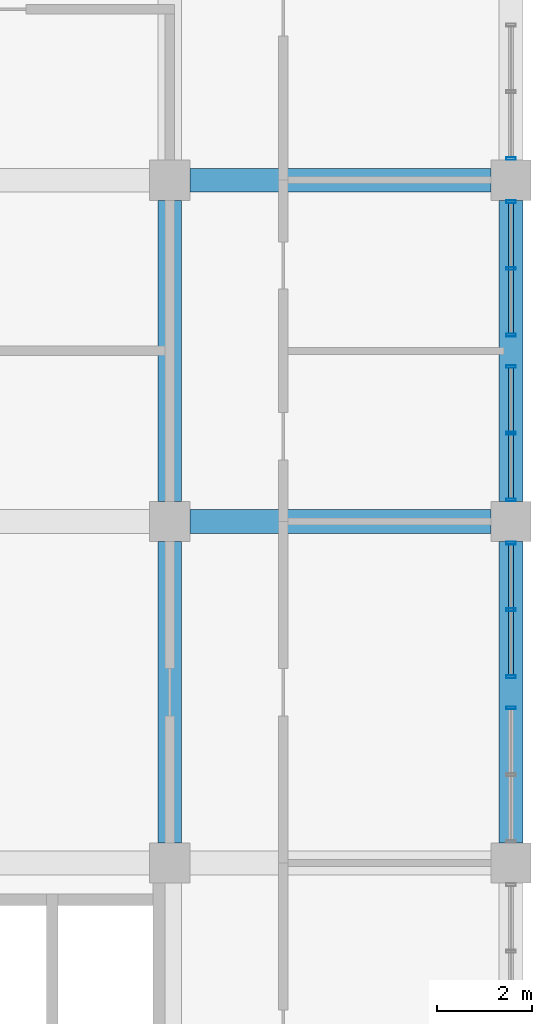
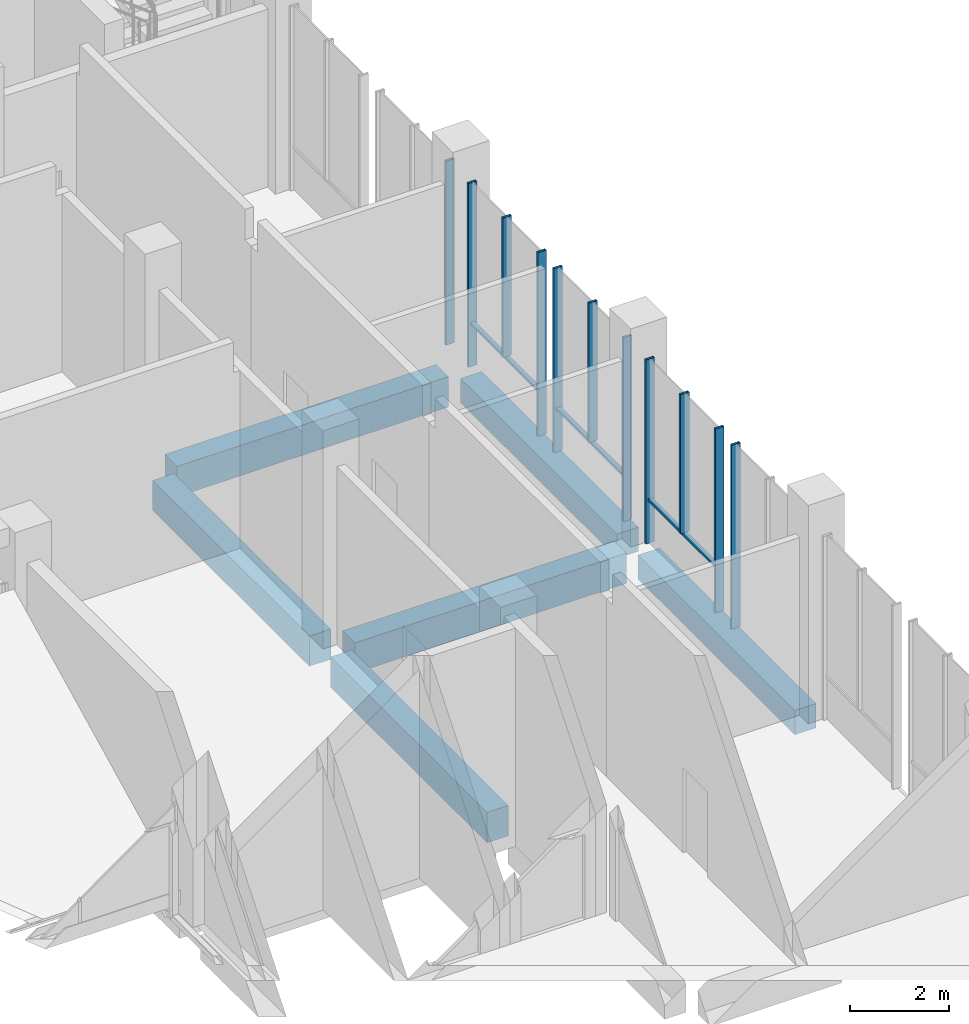
# One storey, part 54 of 83: 14 members, 6 beams, 5 elements without a shape of their own.
"""IFC4 building model written with IfcOpenShell, lengths in metres."""

from ifc_helpers import new_model, si_unit, direction, frame, origin, origin_2d, place, context, subcontext, project, spatial, rectangle, hollow_rectangle, extrude, material, material_profile, profile_set, type_object, element, aggregate, save


model = new_model("IFC4")

# Units and contexts
model_context = context("Model", 3, precision=1e-05, world=origin(), true_north=direction((0.0, 1.0)))
body_context = subcontext(model_context, "Body", "Model", "MODEL_VIEW")
ifc_project = project(units=[si_unit("LENGTHUNIT", "METRE"), si_unit("AREAUNIT", "SQUARE_METRE"), si_unit("VOLUMEUNIT", "CUBIC_METRE"), si_unit("PLANEANGLEUNIT", "RADIAN"), si_unit("MASSUNIT", "GRAM", prefix="KILO")], contexts=[model_context])

# Site, building, storey
site_placement = place(None, origin())
site = spatial("IfcSite", under=ifc_project, at=site_placement, CompositionType="ELEMENT")
building_placement = place(site_placement, origin())
building = spatial("IfcBuilding", under=site, at=building_placement, Name="Silangan Lancet Faculty of Sciences", CompositionType="ELEMENT")
storey_placement = place(building_placement, frame((0.0, 0.0, 11.39990234375)))
storey = spatial("IfcBuildingStorey", under=building, at=storey_placement, Name="L02", CompositionType="ELEMENT", Elevation=11.39990234375)

# Beams
ifc_material_1 = material(Name="Concrete C40/50", Category="concrete")
ifc_material_profile_1 = material_profile(ifc_material_1, rectangle(XDim=0.5, YDim=0.60009765625, at=origin_2d()), Name="RC 500x600")
ifc_profile_set_1 = profile_set([ifc_material_profile_1], Name="Concrete C40/50")
beam_type_1 = type_object("IfcBeamType", Name="BEAM RC 500x600", PredefinedType="BEAM", material=ifc_profile_set_1)
for number, where, z_axis, x_axis, name in (
    (1, (86.39990234375, 29.22509765625, -0.5498046875), (0.0, 1.0, 0.0), (-1.0, 0.0, 0.0), "BM-L02-13E-13F"),
    (2, (86.39990234375, 36.425048828125, -0.5498046875), (0.0, 1.0, 0.0), (-1.0, 0.0, 0.0), "BM-L02-13F-13G"),
):
    element("IfcBeam", number, at=place(storey_placement, frame(where, z_axis=z_axis, x_axis=x_axis)), inside=storey, type_object=beam_type_1, Name=name, PredefinedType="BEAM", context=body_context, shape_type="SweptSolid", body=[
        extrude(rectangle(XDim=0.5, YDim=0.60009765625, at=origin_2d()), origin(), (0.0, 0.0, 1.0), 6.349853515625),
    ])
ifc_material_2 = material(Name="Concrete C40/50", Category="concrete")
ifc_material_profile_2 = material_profile(ifc_material_2, rectangle(XDim=0.5, YDim=0.75, at=origin_2d()), Name="RC 500x750")
ifc_profile_set_2 = profile_set([ifc_material_profile_2], Name="Concrete C40/50")
beam_type_2 = type_object("IfcBeamType", Name="BEAM RC 500x750", PredefinedType="BEAM", material=ifc_profile_set_2)
for number, where, z_axis, x_axis, name in (
    (3, (79.625, 36.0, -0.625), (1.0, 0.0, 0.0), (0.0, 1.0, 0.0), "BM-L02-12F-13F"),
    (4, (79.625, 43.199951171875, -0.625), (1.0, 0.0, 0.0), (0.0, 1.0, 0.0), "BM-L02-12G-13G"),
):
    element("IfcBeam", number, at=place(storey_placement, frame(where, z_axis=z_axis, x_axis=x_axis)), inside=storey, type_object=beam_type_2, Name=name, PredefinedType="BEAM", context=body_context, shape_type="SweptSolid", body=[
        extrude(rectangle(XDim=0.5, YDim=0.75, at=origin_2d()), origin(), (0.0, 0.0, 1.0), 6.35009765625),
    ])
for number, where, z_axis, x_axis, name in (
    (5, (79.199951171875, 29.22509765625, -0.625), (0.0, 1.0, 0.0), (-1.0, 0.0, 0.0), "BM-L02-12E-12F"),
    (6, (79.199951171875, 36.425048828125, -0.625), (0.0, 1.0, 0.0), (-1.0, 0.0, 0.0), "BM-L02-12F-12G"),
):
    element("IfcBeam", number, at=place(storey_placement, frame(where, z_axis=z_axis, x_axis=x_axis)), inside=storey, type_object=beam_type_2, Name=name, PredefinedType="BEAM", context=body_context, shape_type="SweptSolid", body=[
        extrude(rectangle(XDim=0.5, YDim=0.75, at=origin_2d()), origin(), (0.0, 0.0, 1.0), 6.349853515625),
    ])

# Curtain wall, member
ifc_material_3 = material(Name="Aluminium framed curtain wall with insulated glass", Category="aluminium")
curtain_wall_type = type_object("IfcCurtainWallType", Name="CW1 Commons and east block glazing", PredefinedType="NOTDEFINED", material=ifc_material_3)
curtain_wall_1_placement = place(storey_placement, origin())
curtain_wall_1 = element("IfcCurtainWall", 7, at=curtain_wall_1_placement, inside=storey, type_object=curtain_wall_type, Name="CW1 East commons L02 bay 7", PredefinedType="NOTDEFINED")
ifc_material_4 = material(Name="Aluminium 6063-T6 extrusion", Category="aluminium")
ifc_material_profile_3 = material_profile(ifc_material_4, hollow_rectangle(XDim=0.06005859375, YDim=0.199951171875, WallThickness=0.00390625, at=origin_2d()), Name="AL BOX 60x200x4")
ifc_profile_set_3 = profile_set([ifc_material_profile_3], Name="Aluminium 6063-T6 extrusion")
member_type_1 = type_object("IfcMemberType", Name="CM1 Mullion 60x200", PredefinedType="MULLION", material=ifc_profile_set_3)
member_1_placement = place(storey_placement, frame((86.39990234375, 32.06982421875, 0.0), z_axis=(0.0, 0.0, 1.0), x_axis=(0.0, 1.0, 0.0)))
member_1 = element("IfcMember", 8, at=member_1_placement, type_object=member_type_1, Name="CW1 East commons L02 bay 7 mullion 2", PredefinedType="MULLION", context=body_context, shape_type="SweptSolid", body=[
    extrude(hollow_rectangle(XDim=0.06005859375, YDim=0.199951171875, WallThickness=0.00390625, at=origin_2d()), origin(), (0.0, 0.0, 1.0), 4.550048828125),
])
aggregate(curtain_wall_1, [member_1])

# Curtain wall, members
curtain_wall_2_placement = place(storey_placement, origin())
curtain_wall_2 = element("IfcCurtainWall", 9, at=curtain_wall_2_placement, inside=storey, type_object=curtain_wall_type, Name="CW1 East commons L02 bay 8", PredefinedType="NOTDEFINED")
member_2_placement = place(storey_placement, frame((86.39990234375, 32.72998046875, 0.0), z_axis=(0.0, 0.0, 1.0), x_axis=(0.0, 1.0, 0.0)))
member_2 = element("IfcMember", 10, at=member_2_placement, type_object=member_type_1, Name="CW1 East commons L02 bay 8 mullion 1", PredefinedType="MULLION", context=body_context, shape_type="SweptSolid", body=[
    extrude(hollow_rectangle(XDim=0.06005859375, YDim=0.199951171875, WallThickness=0.00390625, at=origin_2d()), origin(), (0.0, 0.0, 1.0), 4.550048828125),
])
member_3_placement = place(storey_placement, frame((86.39990234375, 35.544921875, 0.0), z_axis=(0.0, 0.0, 1.0), x_axis=(0.0, 1.0, 0.0)))
member_3 = element("IfcMember", 11, at=member_3_placement, type_object=member_type_1, Name="CW1 East commons L02 bay 8 mullion 2", PredefinedType="MULLION", context=body_context, shape_type="SweptSolid", body=[
    extrude(hollow_rectangle(XDim=0.06005859375, YDim=0.199951171875, WallThickness=0.00390625, at=origin_2d()), origin(), (0.0, 0.0, 1.0), 4.550048828125),
])
member_4_placement = place(storey_placement, frame((86.39990234375, 34.137451171875, 1.10009765625), z_axis=(0.0, 0.0, 1.0), x_axis=(0.0, 1.0, 0.0)))
member_4 = element("IfcMember", 12, at=member_4_placement, type_object=member_type_1, Name="CW1 East commons L02 bay 8 mullion 3", PredefinedType="MULLION", context=body_context, shape_type="SweptSolid", body=[
    extrude(hollow_rectangle(XDim=0.06005859375, YDim=0.199951171875, WallThickness=0.00390625, at=origin_2d()), origin(), (0.0, 0.0, 1.0), 3.449951171875),
])

curtain_wall_3_placement = place(storey_placement, origin())
curtain_wall_3 = element("IfcCurtainWall", 13, at=curtain_wall_3_placement, inside=storey, type_object=curtain_wall_type, Name="CW1 East commons L02 bay 9", PredefinedType="NOTDEFINED")
member_5_placement = place(storey_placement, frame((86.39990234375, 36.455078125, 0.0), z_axis=(0.0, 0.0, 1.0), x_axis=(0.0, 1.0, 0.0)))
member_5 = element("IfcMember", 14, at=member_5_placement, type_object=member_type_1, Name="CW1 East commons L02 bay 9 mullion 1", PredefinedType="MULLION", context=body_context, shape_type="SweptSolid", body=[
    extrude(hollow_rectangle(XDim=0.06005859375, YDim=0.199951171875, WallThickness=0.00390625, at=origin_2d()), origin(), (0.0, 0.0, 1.0), 4.550048828125),
])
member_6_placement = place(storey_placement, frame((86.39990234375, 39.27001953125, 0.0), z_axis=(0.0, 0.0, 1.0), x_axis=(0.0, 1.0, 0.0)))
member_6 = element("IfcMember", 15, at=member_6_placement, type_object=member_type_1, Name="CW1 East commons L02 bay 9 mullion 2", PredefinedType="MULLION", context=body_context, shape_type="SweptSolid", body=[
    extrude(hollow_rectangle(XDim=0.06005859375, YDim=0.199951171875, WallThickness=0.00390625, at=origin_2d()), origin(), (0.0, 0.0, 1.0), 4.550048828125),
])
member_7_placement = place(storey_placement, frame((86.39990234375, 37.862548828125, 1.10009765625), z_axis=(0.0, 0.0, 1.0), x_axis=(0.0, 1.0, 0.0)))
member_7 = element("IfcMember", 16, at=member_7_placement, type_object=member_type_1, Name="CW1 East commons L02 bay 9 mullion 3", PredefinedType="MULLION", context=body_context, shape_type="SweptSolid", body=[
    extrude(hollow_rectangle(XDim=0.06005859375, YDim=0.199951171875, WallThickness=0.00390625, at=origin_2d()), origin(), (0.0, 0.0, 1.0), 3.449951171875),
])

curtain_wall_4_placement = place(storey_placement, origin())
curtain_wall_4 = element("IfcCurtainWall", 17, at=curtain_wall_4_placement, inside=storey, type_object=curtain_wall_type, Name="CW1 East commons L02 bay 10", PredefinedType="NOTDEFINED")
member_8_placement = place(storey_placement, frame((86.39990234375, 39.93017578125, 0.0), z_axis=(0.0, 0.0, 1.0), x_axis=(0.0, 1.0, 0.0)))
member_8 = element("IfcMember", 18, at=member_8_placement, type_object=member_type_1, Name="CW1 East commons L02 bay 10 mullion 1", PredefinedType="MULLION", context=body_context, shape_type="SweptSolid", body=[
    extrude(hollow_rectangle(XDim=0.06005859375, YDim=0.199951171875, WallThickness=0.00390625, at=origin_2d()), origin(), (0.0, 0.0, 1.0), 4.550048828125),
])
member_9_placement = place(storey_placement, frame((86.39990234375, 42.7451171875, 0.0), z_axis=(0.0, 0.0, 1.0), x_axis=(0.0, 1.0, 0.0)))
member_9 = element("IfcMember", 19, at=member_9_placement, type_object=member_type_1, Name="CW1 East commons L02 bay 10 mullion 2", PredefinedType="MULLION", context=body_context, shape_type="SweptSolid", body=[
    extrude(hollow_rectangle(XDim=0.06005859375, YDim=0.199951171875, WallThickness=0.00390625, at=origin_2d()), origin(), (0.0, 0.0, 1.0), 4.550048828125),
])
member_10_placement = place(storey_placement, frame((86.39990234375, 41.337646484375, 1.10009765625), z_axis=(0.0, 0.0, 1.0), x_axis=(0.0, 1.0, 0.0)))
member_10 = element("IfcMember", 20, at=member_10_placement, type_object=member_type_1, Name="CW1 East commons L02 bay 10 mullion 3", PredefinedType="MULLION", context=body_context, shape_type="SweptSolid", body=[
    extrude(hollow_rectangle(XDim=0.06005859375, YDim=0.199951171875, WallThickness=0.00390625, at=origin_2d()), origin(), (0.0, 0.0, 1.0), 3.449951171875),
])

# Curtain wall, member
curtain_wall_5_placement = place(storey_placement, origin())
curtain_wall_5 = element("IfcCurtainWall", 21, at=curtain_wall_5_placement, inside=storey, type_object=curtain_wall_type, Name="CW1 East commons L02 bay 11", PredefinedType="NOTDEFINED")
member_11_placement = place(storey_placement, frame((86.39990234375, 43.655029296875, 0.0), z_axis=(0.0, 0.0, 1.0), x_axis=(0.0, 1.0, 0.0)))
member_11 = element("IfcMember", 22, at=member_11_placement, type_object=member_type_1, Name="CW1 East commons L02 bay 11 mullion 1", PredefinedType="MULLION", context=body_context, shape_type="SweptSolid", body=[
    extrude(hollow_rectangle(XDim=0.06005859375, YDim=0.199951171875, WallThickness=0.00390625, at=origin_2d()), origin(), (0.0, 0.0, 1.0), 4.550048828125),
])
aggregate(curtain_wall_5, [member_11])

# Member
ifc_material_5 = material(Name="Aluminium 6063-T6 extrusion", Category="aluminium")
ifc_material_profile_4 = material_profile(ifc_material_5, hollow_rectangle(XDim=0.10009765625, YDim=0.06005859375, WallThickness=0.0029296875, at=origin_2d()), Name="AL BOX 100x60x3")
ifc_profile_set_4 = profile_set([ifc_material_profile_4], Name="Aluminium 6063-T6 extrusion")
member_type_2 = type_object("IfcMemberType", Name="CT1 Transom 100x60", PredefinedType="USERDEFINED", material=ifc_profile_set_4)
member_12_placement = place(storey_placement, frame((86.39990234375, 32.760009765625, 1.070068359375), z_axis=(0.0, 1.0, 0.0), x_axis=(-1.0, 0.0, 0.0)))
member_12 = element("IfcMember", 23, at=member_12_placement, type_object=member_type_2, Name="CW1 East commons L02 bay 8 transom 1", ObjectType="TRANSOM", PredefinedType="USERDEFINED", context=body_context, shape_type="SweptSolid", body=[
    extrude(hollow_rectangle(XDim=0.10009765625, YDim=0.06005859375, WallThickness=0.0029296875, at=origin_2d()), origin(), (0.0, 0.0, 1.0), 2.7548828125),
])

aggregate(curtain_wall_2, [member_2, member_3, member_4, member_12])

member_13_placement = place(storey_placement, frame((86.39990234375, 36.485107421875, 1.070068359375), z_axis=(0.0, 1.0, 0.0), x_axis=(-1.0, 0.0, 0.0)))
member_13 = element("IfcMember", 24, at=member_13_placement, type_object=member_type_2, Name="CW1 East commons L02 bay 9 transom 1", ObjectType="TRANSOM", PredefinedType="USERDEFINED", context=body_context, shape_type="SweptSolid", body=[
    extrude(hollow_rectangle(XDim=0.10009765625, YDim=0.06005859375, WallThickness=0.0029296875, at=origin_2d()), origin(), (0.0, 0.0, 1.0), 2.7548828125),
])

aggregate(curtain_wall_3, [member_5, member_6, member_7, member_13])

member_14_placement = place(storey_placement, frame((86.39990234375, 39.960205078125, 1.070068359375), z_axis=(0.0, 1.0, 0.0), x_axis=(-1.0, 0.0, 0.0)))
member_14 = element("IfcMember", 25, at=member_14_placement, type_object=member_type_2, Name="CW1 East commons L02 bay 10 transom 1", ObjectType="TRANSOM", PredefinedType="USERDEFINED", context=body_context, shape_type="SweptSolid", body=[
    extrude(hollow_rectangle(XDim=0.10009765625, YDim=0.06005859375, WallThickness=0.0029296875, at=origin_2d()), origin(), (0.0, 0.0, 1.0), 2.7548828125),
])

aggregate(curtain_wall_4, [member_8, member_9, member_10, member_14])

save(model, "model.ifc")
